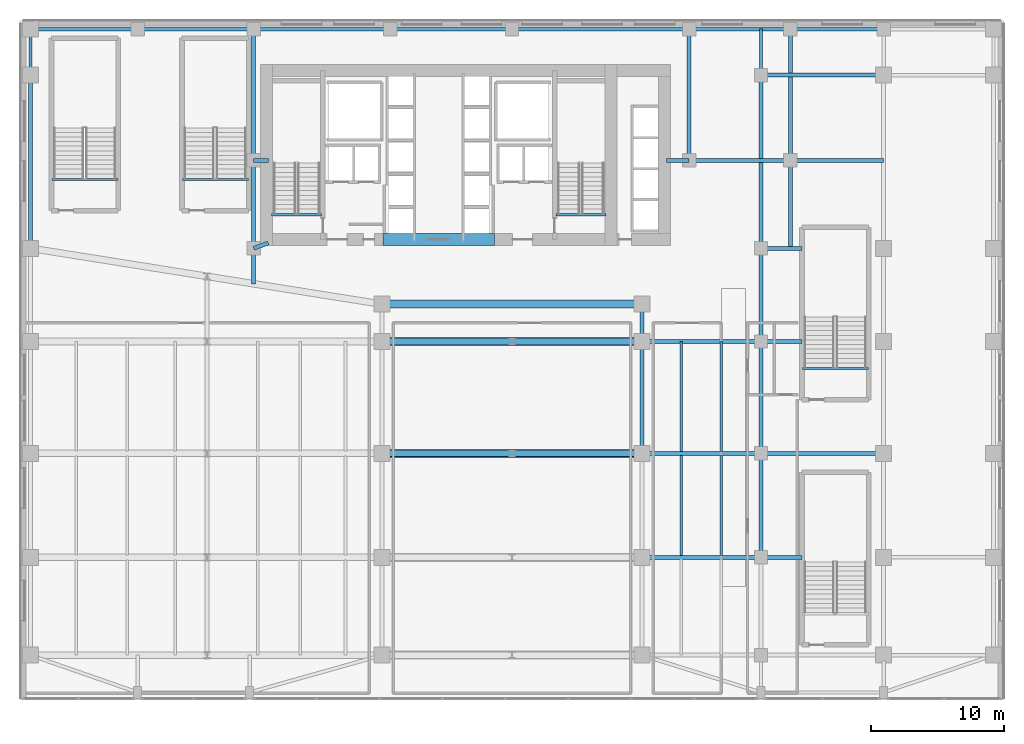
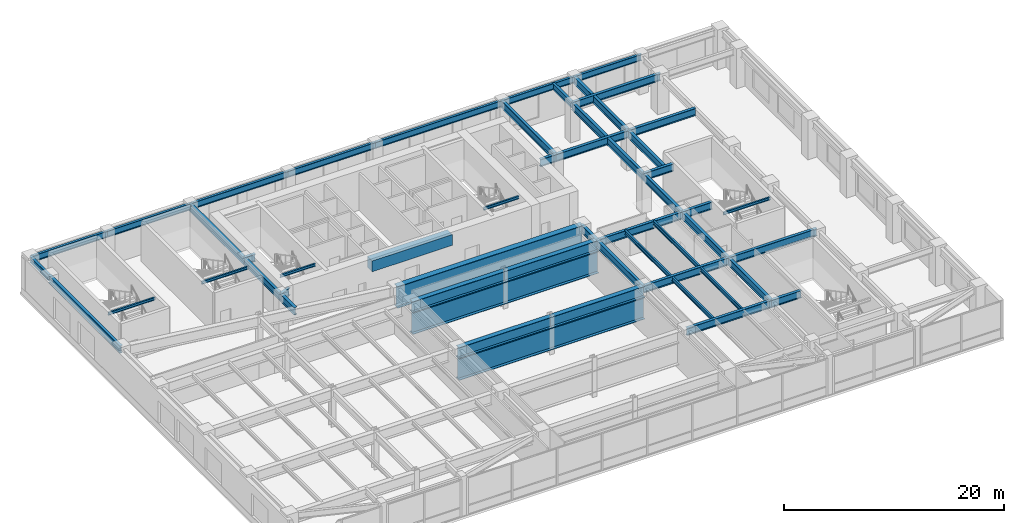
# One storey, part 15 of 27: 52 beams.
"""IFC4 building model written with IfcOpenShell, lengths in metres."""

from ifc_helpers import new_model, si_unit, direction, frame, origin, origin_2d, place, context, subcontext, project, spatial, rectangle, i_section, extrude, source, transform, mapped, material, material_profile, profile_set, type_object, type_shapes, element, save


model = new_model("IFC4")

# Units and contexts
model_context = context("Model", 3, precision=1e-05, world=origin(), true_north=direction((0.0, 1.0)))
body_context = subcontext(model_context, "Body", "Model", "MODEL_VIEW")
ifc_project = project(units=[si_unit("LENGTHUNIT", "METRE"), si_unit("AREAUNIT", "SQUARE_METRE"), si_unit("VOLUMEUNIT", "CUBIC_METRE"), si_unit("PLANEANGLEUNIT", "RADIAN"), si_unit("MASSUNIT", "GRAM", prefix="KILO")], contexts=[model_context])

# Site, building, storey
site_placement = place(None, origin())
site = spatial("IfcSite", under=ifc_project, at=site_placement, CompositionType="ELEMENT")
building_placement = place(site_placement, origin())
building = spatial("IfcBuilding", under=site, at=building_placement, Name="Tolvann Quenvar Hotel", CompositionType="ELEMENT")
storey_placement = place(building_placement, frame((0.0, 0.0, 22.39990234375)))
storey = spatial("IfcBuildingStorey", under=building, at=storey_placement, Name="L04", CompositionType="ELEMENT", Elevation=22.39990234375)

# Beams
ifc_material_1 = material(Name="Concrete S80 (80 MPa)", Category="concrete")
ifc_material_profile_1 = material_profile(ifc_material_1, rectangle(XDim=0.89990234375, YDim=1.199951171875, at=origin_2d()), Name="RC900x1200")
ifc_profile_set_1 = profile_set([ifc_material_profile_1], Name="Concrete S80 (80 MPa)")
beam_type_1 = type_object("IfcBeamType", Name="BM_LINT_RC900x1200", PredefinedType="LINTEL", material=ifc_profile_set_1)
shared_shape_1 = source(origin(), body_context, "Body", "SweptSolid", [
    extrude(rectangle(XDim=0.89990234375, YDim=1.199951171875, at=origin_2d()), origin(), (0.0, 0.0, 1.0), 8.39990234375),
])
type_shapes(beam_type_1, [shared_shape_1])
beam_1_placement = place(storey_placement, frame((18.800048828125, 32.050048828125, 3.5400390625), z_axis=(1.0, 0.0, 0.0), x_axis=(0.0, 1.0, 0.0)))
element("IfcBeam", 1, at=beam_1_placement, inside=storey, type_object=beam_type_1, Name="Core Coupling Lintel Beam (L04)", PredefinedType="LINTEL", context=body_context, shape_type="MappedRepresentation", body=[
    mapped(shared_shape_1, transform((0.0, 0.0, 0.0), x_axis=(1.0, 0.0, 0.0), y_axis=(0.0, 1.0, 0.0), z_axis=(0.0, 0.0, 1.0), scale=1.0)),
])
ifc_material_2 = material(Name="Steel Grade 350", Category="steel")
ifc_material_profile_2 = material_profile(ifc_material_2, i_section(OverallWidth=0.300048828125, OverallDepth=0.81591796875, WebThickness=0.010009765625, FlangeThickness=0.028076171875, at=origin_2d()), Name="800WB192")
ifc_profile_set_2 = profile_set([ifc_material_profile_2], Name="Steel Grade 350")
beam_type_2 = type_object("IfcBeamType", Name="BM_GIRD_800WB192", PredefinedType="BEAM", material=ifc_profile_set_2)
shared_shape_2 = source(origin(), body_context, "Body", "SweptSolid", [
    extrude(i_section(OverallWidth=0.300048828125, OverallDepth=0.81591796875, WebThickness=0.010009765625, FlangeThickness=0.028076171875, at=origin_2d()), origin(), (0.0, 0.0, 1.0), 7.800048828125),
])
beam_2_placement = place(storey_placement, frame((47.199951171875, 8.199951171875, 3.732177734375), z_axis=(0.0, 1.0, 0.0), x_axis=(-1.0, 0.0, 0.0)))
element("IfcBeam", 2, at=beam_2_placement, inside=storey, type_object=beam_type_2, Name="BM-L04-NS-H-1", PredefinedType="BEAM", context=body_context, shape_type="MappedRepresentation", body=[
    mapped(shared_shape_2, transform((0.0, 0.0, 0.0), x_axis=(1.0, 0.0, 0.0), y_axis=(0.0, 1.0, 0.0), z_axis=(0.0, 0.0, 1.0), scale=1.0)),
])
shared_shape_3 = source(origin(), body_context, "Body", "SweptSolid", [
    extrude(i_section(OverallWidth=0.300048828125, OverallDepth=0.81591796875, WebThickness=0.010009765625, FlangeThickness=0.028076171875, at=origin_2d()), origin(), (0.0, 0.0, 1.0), 8.39990234375),
])
for number, where, z_axis, x_axis, name in (
    (3, (38.25, 16.0, 3.732177734375), (0.0, 1.0, 0.0), (-1.0, 0.0, 0.0), "BM-L04-NS-APE-2"),
    (4, (47.199951171875, 16.0, 3.732177734375), (0.0, 1.0, 0.0), (-1.0, 0.0, 0.0), "BM-L04-NS-H-2"),
):
    element("IfcBeam", number, at=place(storey_placement, frame(where, z_axis=z_axis, x_axis=x_axis)), inside=storey, type_object=beam_type_2, Name=name, PredefinedType="BEAM", context=body_context, shape_type="MappedRepresentation", body=[
        mapped(shared_shape_3, transform((0.0, 0.0, 0.0), x_axis=(1.0, 0.0, 0.0), y_axis=(0.0, 1.0, 0.0), z_axis=(0.0, 0.0, 1.0), scale=1.0)),
    ])
shared_shape_4 = source(origin(), body_context, "Body", "SweptSolid", [
    extrude(i_section(OverallWidth=0.300048828125, OverallDepth=0.81591796875, WebThickness=0.010009765625, FlangeThickness=0.028076171875, at=origin_2d()), origin(), (0.0, 0.0, 1.0), 2.800048828125),
])
beam_3_placement = place(storey_placement, frame((38.25, 24.39990234375, 3.732177734375), z_axis=(0.0, 1.0, 0.0), x_axis=(-1.0, 0.0, 0.0)))
element("IfcBeam", 5, at=beam_3_placement, inside=storey, type_object=beam_type_2, Name="BM-L04-NS-APE-3", PredefinedType="BEAM", context=body_context, shape_type="MappedRepresentation", body=[
    mapped(shared_shape_4, transform((0.0, 0.0, 0.0), x_axis=(1.0, 0.0, 0.0), y_axis=(0.0, 1.0, 0.0), z_axis=(0.0, 0.0, 1.0), scale=1.0)),
])
ifc_material_profile_3 = material_profile(ifc_material_2, i_section(OverallWidth=0.5, OverallDepth=1.199951171875, WebThickness=0.01611328125, FlangeThickness=0.0400390625, at=origin_2d()), Name="1200WB455")
ifc_profile_set_3 = profile_set([ifc_material_profile_3], Name="Steel Grade 350")
beam_type_3 = type_object("IfcBeamType", Name="BM_TG_1200WB455", PredefinedType="USERDEFINED", material=ifc_profile_set_3)
shared_shape_5 = source(origin(), body_context, "Body", "SweptSolid", [
    extrude(i_section(OverallWidth=0.5, OverallDepth=1.199951171875, WebThickness=0.01611328125, FlangeThickness=0.0400390625, at=origin_2d()), origin(), (0.0, 0.0, 1.0), 9.75),
])
type_shapes(beam_type_3, [shared_shape_5])
for number, where, z_axis, x_axis, name in (
    (6, (18.75, 16.0, 3.5400390625), (1.0, 0.0, 0.0), (0.0, 1.0, 0.0), "BM-L04-ATIE-3A"),
    (7, (28.5, 16.0, 3.5400390625), (1.0, 0.0, 0.0), (0.0, 1.0, 0.0), "BM-L04-ATIE-3B"),
    (8, (18.75, 24.39990234375, 3.5400390625), (1.0, 0.0, 0.0), (0.0, 1.0, 0.0), "BM-L04-ATIE-4A"),
    (9, (28.5, 24.39990234375, 3.5400390625), (1.0, 0.0, 0.0), (0.0, 1.0, 0.0), "BM-L04-ATIE-4B"),
):
    element("IfcBeam", number, at=place(storey_placement, frame(where, z_axis=z_axis, x_axis=x_axis)), inside=storey, type_object=beam_type_3, Name=name, ObjectType="TRANSFER GIRDER", PredefinedType="USERDEFINED", context=body_context, shape_type="MappedRepresentation", body=[
        mapped(shared_shape_5, transform((0.0, 0.0, 0.0), x_axis=(1.0, 0.0, 0.0), y_axis=(0.0, 1.0, 0.0), z_axis=(0.0, 0.0, 1.0), scale=1.0)),
    ])
shared_shape_6 = source(origin(), body_context, "Body", "SweptSolid", [
    extrude(i_section(OverallWidth=0.300048828125, OverallDepth=0.81591796875, WebThickness=0.010009765625, FlangeThickness=0.028076171875, at=origin_2d()), origin(), (0.0, 0.0, 1.0), 8.949951171875),
])
for number, where, z_axis, x_axis, name in (
    (10, (38.25, 8.199951171875, 3.732177734375), (1.0, 0.0, 0.0), (0.0, 1.0, 0.0), "BM-L04-GE1-2"),
    (11, (38.25, 16.0, 3.732177734375), (1.0, 0.0, 0.0), (0.0, 1.0, 0.0), "BM-L04-GE1-3"),
    (12, (38.25, 24.39990234375, 3.732177734375), (1.0, 0.0, 0.0), (0.0, 1.0, 0.0), "BM-L04-GE1-4"),
):
    element("IfcBeam", number, at=place(storey_placement, frame(where, z_axis=z_axis, x_axis=x_axis)), inside=storey, type_object=beam_type_2, Name=name, PredefinedType="BEAM", context=body_context, shape_type="MappedRepresentation", body=[
        mapped(shared_shape_6, transform((0.0, 0.0, 0.0), x_axis=(1.0, 0.0, 0.0), y_axis=(0.0, 1.0, 0.0), z_axis=(0.0, 0.0, 1.0), scale=1.0)),
    ])
shared_shape_7 = source(origin(), body_context, "Body", "SweptSolid", [
    extrude(i_section(OverallWidth=0.300048828125, OverallDepth=0.81591796875, WebThickness=0.010009765625, FlangeThickness=0.028076171875, at=origin_2d()), origin(), (0.0, 0.0, 1.0), 9.199951171875),
])
for number, where, z_axis, x_axis, name in (
    (13, (47.199951171875, 16.0, 3.732177734375), (1.0, 0.0, 0.0), (0.0, 1.0, 0.0), "BM-L04-GE2-3"),
    (14, (47.199951171875, 44.39990234375, 3.732177734375), (1.0, 0.0, 0.0), (0.0, 1.0, 0.0), "BM-L04-GE2-6"),
):
    element("IfcBeam", number, at=place(storey_placement, frame(where, z_axis=z_axis, x_axis=x_axis)), inside=storey, type_object=beam_type_2, Name=name, PredefinedType="BEAM", context=body_context, shape_type="MappedRepresentation", body=[
        mapped(shared_shape_7, transform((0.0, 0.0, 0.0), x_axis=(1.0, 0.0, 0.0), y_axis=(0.0, 1.0, 0.0), z_axis=(0.0, 0.0, 1.0), scale=1.0)),
    ])
shared_shape_8 = source(origin(), body_context, "Body", "SweptSolid", [
    extrude(i_section(OverallWidth=0.300048828125, OverallDepth=0.81591796875, WebThickness=0.010009765625, FlangeThickness=0.028076171875, at=origin_2d()), origin(), (0.0, 0.0, 1.0), 7.0),
])
for number, where, z_axis, x_axis, name in (
    (15, (47.199951171875, 24.39990234375, 3.732177734375), (0.0, 1.0, 0.0), (-1.0, 0.0, 0.0), "BM-L04-NS-H-3"),
    (16, (49.39990234375, 38.0, 3.732177734375), (1.0, 0.0, 0.0), (0.0, 1.0, 0.0), "BM-L04-EW-PIN3"),
):
    element("IfcBeam", number, at=place(storey_placement, frame(where, z_axis=z_axis, x_axis=x_axis)), inside=storey, type_object=beam_type_2, Name=name, PredefinedType="BEAM", context=body_context, shape_type="MappedRepresentation", body=[
        mapped(shared_shape_8, transform((0.0, 0.0, 0.0), x_axis=(1.0, 0.0, 0.0), y_axis=(0.0, 1.0, 0.0), z_axis=(0.0, 0.0, 1.0), scale=1.0)),
    ])
shared_shape_9 = source(origin(), body_context, "Body", "SweptSolid", [
    extrude(i_section(OverallWidth=0.300048828125, OverallDepth=0.81591796875, WebThickness=0.010009765625, FlangeThickness=0.028076171875, at=origin_2d()), origin(), (0.0, 0.0, 1.0), 13.0),
])
for number, where, z_axis, x_axis, name in (
    (17, (-7.64990234375, 31.39990234375, 3.732177734375), (0.0, 1.0, 0.0), (-1.0, 0.0, 0.0), "BM-L04-NS-A-4"),
    (18, (47.199951171875, 31.39990234375, 3.732177734375), (0.0, 1.0, 0.0), (-1.0, 0.0, 0.0), "BM-L04-NS-H-4"),
):
    element("IfcBeam", number, at=place(storey_placement, frame(where, z_axis=z_axis, x_axis=x_axis)), inside=storey, type_object=beam_type_2, Name=name, PredefinedType="BEAM", context=body_context, shape_type="MappedRepresentation", body=[
        mapped(shared_shape_9, transform((0.0, 0.0, 0.0), x_axis=(1.0, 0.0, 0.0), y_axis=(0.0, 1.0, 0.0), z_axis=(0.0, 0.0, 1.0), scale=1.0)),
    ])
ifc_material_profile_4 = material_profile(ifc_material_2, i_section(OverallWidth=0.25, OverallDepth=0.699951171875, WebThickness=0.010009765625, FlangeThickness=0.02392578125, at=origin_2d()), Name="700WB150")
ifc_profile_set_4 = profile_set([ifc_material_profile_4], Name="Steel Grade 350")
beam_type_4 = type_object("IfcBeamType", Name="BM_GIRD_700WB150", PredefinedType="BEAM", material=ifc_profile_set_4)
shared_shape_10 = source(origin(), body_context, "Body", "SweptSolid", [
    extrude(i_section(OverallWidth=0.25, OverallDepth=0.699951171875, WebThickness=0.010009765625, FlangeThickness=0.02392578125, at=origin_2d()), origin(), (0.0, 0.0, 1.0), 3.4501953125),
])
for number, where, z_axis, x_axis, name in (
    (19, (-7.64990234375, 44.39990234375, 3.7900390625), (0.0, 1.0, 0.0), (-1.0, 0.0, 0.0), "BM-L04-NSN-A"),
    (20, (47.199951171875, 44.39990234375, 3.7900390625), (0.0, 1.0, 0.0), (-1.0, 0.0, 0.0), "BM-L04-NSN-H"),
):
    element("IfcBeam", number, at=place(storey_placement, frame(where, z_axis=z_axis, x_axis=x_axis)), inside=storey, type_object=beam_type_4, Name=name, PredefinedType="BEAM", context=body_context, shape_type="MappedRepresentation", body=[
        mapped(shared_shape_10, transform((0.0, 0.0, 0.0), x_axis=(1.0, 0.0, 0.0), y_axis=(0.0, 1.0, 0.0), z_axis=(0.0, 0.0, 1.0), scale=1.0)),
    ])
shared_shape_11 = source(origin(), body_context, "Body", "SweptSolid", [
    extrude(i_section(OverallWidth=0.25, OverallDepth=0.699951171875, WebThickness=0.010009765625, FlangeThickness=0.02392578125, at=origin_2d()), origin(), (0.0, 0.0, 1.0), 8.0498046875),
])
beam_4_placement = place(storey_placement, frame((-7.64990234375, 47.85009765625, 3.7900390625), z_axis=(1.0, 0.0, 0.0), x_axis=(0.0, 1.0, 0.0)))
element("IfcBeam", 21, at=beam_4_placement, inside=storey, type_object=beam_type_4, Name="BM-L04-EWN-0", PredefinedType="BEAM", context=body_context, shape_type="MappedRepresentation", body=[
    mapped(shared_shape_11, transform((0.0, 0.0, 0.0), x_axis=(1.0, 0.0, 0.0), y_axis=(0.0, 1.0, 0.0), z_axis=(0.0, 0.0, 1.0), scale=1.0)),
])
shared_shape_12 = source(origin(), body_context, "Body", "SweptSolid", [
    extrude(i_section(OverallWidth=0.25, OverallDepth=0.699951171875, WebThickness=0.010009765625, FlangeThickness=0.02392578125, at=origin_2d()), origin(), (0.0, 0.0, 1.0), 8.7001953125),
])
beam_5_placement = place(storey_placement, frame((0.39990234375, 47.85009765625, 3.7900390625), z_axis=(1.0, 0.0, 0.0), x_axis=(0.0, 1.0, 0.0)))
element("IfcBeam", 22, at=beam_5_placement, inside=storey, type_object=beam_type_4, Name="BM-L04-EWN-1", PredefinedType="BEAM", context=body_context, shape_type="MappedRepresentation", body=[
    mapped(shared_shape_12, transform((0.0, 0.0, 0.0), x_axis=(1.0, 0.0, 0.0), y_axis=(0.0, 1.0, 0.0), z_axis=(0.0, 0.0, 1.0), scale=1.0)),
])
shared_shape_13 = source(origin(), body_context, "Body", "SweptSolid", [
    extrude(i_section(OverallWidth=0.25, OverallDepth=0.699951171875, WebThickness=0.010009765625, FlangeThickness=0.02392578125, at=origin_2d()), origin(), (0.0, 0.0, 1.0), 10.25),
])
beam_6_placement = place(storey_placement, frame((9.10009765625, 47.85009765625, 3.7900390625), z_axis=(1.0, 0.0, 0.0), x_axis=(0.0, 1.0, 0.0)))
element("IfcBeam", 23, at=beam_6_placement, inside=storey, type_object=beam_type_4, Name="BM-L04-EWN-2", PredefinedType="BEAM", context=body_context, shape_type="MappedRepresentation", body=[
    mapped(shared_shape_13, transform((0.0, 0.0, 0.0), x_axis=(1.0, 0.0, 0.0), y_axis=(0.0, 1.0, 0.0), z_axis=(0.0, 0.0, 1.0), scale=1.0)),
])
shared_shape_14 = source(origin(), body_context, "Body", "SweptSolid", [
    extrude(i_section(OverallWidth=0.25, OverallDepth=0.699951171875, WebThickness=0.010009765625, FlangeThickness=0.02392578125, at=origin_2d()), origin(), (0.0, 0.0, 1.0), 9.14990234375),
])
beam_7_placement = place(storey_placement, frame((19.35009765625, 47.85009765625, 3.7900390625), z_axis=(1.0, 0.0, 0.0), x_axis=(0.0, 1.0, 0.0)))
element("IfcBeam", 24, at=beam_7_placement, inside=storey, type_object=beam_type_4, Name="BM-L04-EWN-3", PredefinedType="BEAM", context=body_context, shape_type="MappedRepresentation", body=[
    mapped(shared_shape_14, transform((0.0, 0.0, 0.0), x_axis=(1.0, 0.0, 0.0), y_axis=(0.0, 1.0, 0.0), z_axis=(0.0, 0.0, 1.0), scale=1.0)),
])
shared_shape_15 = source(origin(), body_context, "Body", "SweptSolid", [
    extrude(i_section(OverallWidth=0.25, OverallDepth=0.699951171875, WebThickness=0.010009765625, FlangeThickness=0.02392578125, at=origin_2d()), origin(), (0.0, 0.0, 1.0), 13.300048828125),
])
beam_8_placement = place(storey_placement, frame((28.5, 47.85009765625, 3.7900390625), z_axis=(1.0, 0.0, 0.0), x_axis=(0.0, 1.0, 0.0)))
element("IfcBeam", 25, at=beam_8_placement, inside=storey, type_object=beam_type_4, Name="BM-L04-EWN-4", PredefinedType="BEAM", context=body_context, shape_type="MappedRepresentation", body=[
    mapped(shared_shape_15, transform((0.0, 0.0, 0.0), x_axis=(1.0, 0.0, 0.0), y_axis=(0.0, 1.0, 0.0), z_axis=(0.0, 0.0, 1.0), scale=1.0)),
])
shared_shape_16 = source(origin(), body_context, "Body", "SweptSolid", [
    extrude(i_section(OverallWidth=0.25, OverallDepth=0.699951171875, WebThickness=0.010009765625, FlangeThickness=0.02392578125, at=origin_2d()), origin(), (0.0, 0.0, 1.0), 7.599853515625),
])
beam_9_placement = place(storey_placement, frame((41.800048828125, 47.85009765625, 3.7900390625), z_axis=(1.0, 0.0, 0.0), x_axis=(0.0, 1.0, 0.0)))
element("IfcBeam", 26, at=beam_9_placement, inside=storey, type_object=beam_type_4, Name="BM-L04-EWN-5", PredefinedType="BEAM", context=body_context, shape_type="MappedRepresentation", body=[
    mapped(shared_shape_16, transform((0.0, 0.0, 0.0), x_axis=(1.0, 0.0, 0.0), y_axis=(0.0, 1.0, 0.0), z_axis=(0.0, 0.0, 1.0), scale=1.0)),
])
shared_shape_17 = source(origin(), body_context, "Body", "SweptSolid", [
    extrude(i_section(OverallWidth=0.25, OverallDepth=0.699951171875, WebThickness=0.010009765625, FlangeThickness=0.02392578125, at=origin_2d()), origin(), (0.0, 0.0, 1.0), 7.0),
])
type_shapes(beam_type_4, [shared_shape_10, shared_shape_11, shared_shape_12, shared_shape_13, shared_shape_14, shared_shape_15, shared_shape_16, shared_shape_17])
beam_10_placement = place(storey_placement, frame((49.39990234375, 47.85009765625, 3.7900390625), z_axis=(1.0, 0.0, 0.0), x_axis=(0.0, 1.0, 0.0)))
element("IfcBeam", 27, at=beam_10_placement, inside=storey, type_object=beam_type_4, Name="BM-L04-EWN-6", PredefinedType="BEAM", context=body_context, shape_type="MappedRepresentation", body=[
    mapped(shared_shape_17, transform((0.0, 0.0, 0.0), x_axis=(1.0, 0.0, 0.0), y_axis=(0.0, 1.0, 0.0), z_axis=(0.0, 0.0, 1.0), scale=1.0)),
])
shared_shape_18 = source(origin(), body_context, "Body", "SweptSolid", [
    extrude(i_section(OverallWidth=0.300048828125, OverallDepth=0.81591796875, WebThickness=0.010009765625, FlangeThickness=0.028076171875, at=origin_2d()), origin(), (0.0, 0.0, 1.0), 1.17041015625),
])
beam_11_placement = place(storey_placement, frame((9.10009765625, 31.39990234375, 3.732177734375), z_axis=(0.939738597058, 0.34189379813, 0.0), x_axis=(-0.34189379813, 0.939738597058, 0.0)))
element("IfcBeam", 28, at=beam_11_placement, inside=storey, type_object=beam_type_2, Name="BM-L04-EW-PCNS2", PredefinedType="BEAM", context=body_context, shape_type="MappedRepresentation", body=[
    mapped(shared_shape_18, transform((0.0, 0.0, 0.0), x_axis=(1.0, 0.0, 0.0), y_axis=(0.0, 1.0, 0.0), z_axis=(0.0, 0.0, 1.0), scale=1.0)),
])
shared_shape_19 = source(origin(), body_context, "Body", "SweptSolid", [
    extrude(i_section(OverallWidth=0.300048828125, OverallDepth=0.81591796875, WebThickness=0.010009765625, FlangeThickness=0.028076171875, at=origin_2d()), origin(), (0.0, 0.0, 1.0), 6.60009765625),
])
for number, where, z_axis, x_axis, name in (
    (29, (9.10009765625, 31.39990234375, 3.732177734375), (0.0, 1.0, 0.0), (-1.0, 0.0, 0.0), "BM-L04-NSB-PCN1"),
    (30, (49.39990234375, 31.39990234375, 3.732177734375), (0.0, 1.0, 0.0), (-1.0, 0.0, 0.0), "BM-L04-NSB-PIN1"),
):
    element("IfcBeam", number, at=place(storey_placement, frame(where, z_axis=z_axis, x_axis=x_axis)), inside=storey, type_object=beam_type_2, Name=name, PredefinedType="BEAM", context=body_context, shape_type="MappedRepresentation", body=[
        mapped(shared_shape_19, transform((0.0, 0.0, 0.0), x_axis=(1.0, 0.0, 0.0), y_axis=(0.0, 1.0, 0.0), z_axis=(0.0, 0.0, 1.0), scale=1.0)),
    ])
shared_shape_20 = source(origin(), body_context, "Body", "SweptSolid", [
    extrude(i_section(OverallWidth=0.300048828125, OverallDepth=0.81591796875, WebThickness=0.010009765625, FlangeThickness=0.028076171875, at=origin_2d()), origin(), (0.0, 0.0, 1.0), 9.85009765625),
])
for number, where, z_axis, x_axis, name in (
    (31, (9.10009765625, 38.0, 3.732177734375), (0.0, 1.0, 0.0), (-1.0, 0.0, 0.0), "BM-L04-NSB-PCN2"),
    (32, (41.800048828125, 38.0, 3.732177734375), (0.0, 1.0, 0.0), (-1.0, 0.0, 0.0), "BM-L04-NSB-PHN2"),
    (33, (49.39990234375, 38.0, 3.732177734375), (0.0, 1.0, 0.0), (-1.0, 0.0, 0.0), "BM-L04-NSB-PIN2"),
):
    element("IfcBeam", number, at=place(storey_placement, frame(where, z_axis=z_axis, x_axis=x_axis)), inside=storey, type_object=beam_type_2, Name=name, PredefinedType="BEAM", context=body_context, shape_type="MappedRepresentation", body=[
        mapped(shared_shape_20, transform((0.0, 0.0, 0.0), x_axis=(1.0, 0.0, 0.0), y_axis=(0.0, 1.0, 0.0), z_axis=(0.0, 0.0, 1.0), scale=1.0)),
    ])
shared_shape_21 = source(origin(), body_context, "Body", "SweptSolid", [
    extrude(i_section(OverallWidth=0.300048828125, OverallDepth=0.81591796875, WebThickness=0.010009765625, FlangeThickness=0.028076171875, at=origin_2d()), origin(), (0.0, 0.0, 1.0), 1.099853515625),
])
beam_12_placement = place(storey_placement, frame((9.10009765625, 38.0, 3.732177734375), z_axis=(1.0, 0.0, 0.0), x_axis=(0.0, 1.0, 0.0)))
element("IfcBeam", 34, at=beam_12_placement, inside=storey, type_object=beam_type_2, Name="BM-L04-EW-PCN", PredefinedType="BEAM", context=body_context, shape_type="MappedRepresentation", body=[
    mapped(shared_shape_21, transform((0.0, 0.0, 0.0), x_axis=(1.0, 0.0, 0.0), y_axis=(0.0, 1.0, 0.0), z_axis=(0.0, 0.0, 1.0), scale=1.0)),
])
shared_shape_22 = source(origin(), body_context, "Body", "SweptSolid", [
    extrude(i_section(OverallWidth=0.300048828125, OverallDepth=0.81591796875, WebThickness=0.010009765625, FlangeThickness=0.028076171875, at=origin_2d()), origin(), (0.0, 0.0, 1.0), 1.699951171875),
])
beam_13_placement = place(storey_placement, frame((40.10009765625, 38.0, 3.732177734375), z_axis=(1.0, 0.0, 0.0), x_axis=(0.0, 1.0, 0.0)))
element("IfcBeam", 35, at=beam_13_placement, inside=storey, type_object=beam_type_2, Name="BM-L04-EW-PHN1", PredefinedType="BEAM", context=body_context, shape_type="MappedRepresentation", body=[
    mapped(shared_shape_22, transform((0.0, 0.0, 0.0), x_axis=(1.0, 0.0, 0.0), y_axis=(0.0, 1.0, 0.0), z_axis=(0.0, 0.0, 1.0), scale=1.0)),
])
ifc_material_profile_5 = material_profile(ifc_material_2, i_section(OverallWidth=0.18994140625, OverallDepth=0.4541015625, WebThickness=0.008544921875, FlangeThickness=0.0126953125, FilletRadius=0.011474609375, at=origin_2d()), Name="460UB67")
ifc_profile_set_5 = profile_set([ifc_material_profile_5], Name="Steel Grade 350")
beam_type_5 = type_object("IfcBeamType", Name="BM_JOIST_460UB67", PredefinedType="JOIST", material=ifc_profile_set_5)
shared_shape_23 = source(origin(), body_context, "Body", "SweptSolid", [
    extrude(i_section(OverallWidth=0.18994140625, OverallDepth=0.4541015625, WebThickness=0.008544921875, FlangeThickness=0.0126953125, FilletRadius=0.011474609375, at=origin_2d()), origin(), (0.0, 0.0, 1.0), 7.511962890625),
])
for number, where, z_axis, x_axis, name in (
    (36, (41.199951171875, 8.343994140625, 3.9130859375), (0.0, 1.0, 0.0), (-1.0, 0.0, 0.0), "BJ-L04-412-82"),
    (37, (44.199951171875, 8.343994140625, 3.9130859375), (0.0, 1.0, 0.0), (-1.0, 0.0, 0.0), "BJ-L04-442-82"),
):
    element("IfcBeam", number, at=place(storey_placement, frame(where, z_axis=z_axis, x_axis=x_axis)), inside=storey, type_object=beam_type_5, Name=name, PredefinedType="JOIST", context=body_context, shape_type="MappedRepresentation", body=[
        mapped(shared_shape_23, transform((0.0, 0.0, 0.0), x_axis=(1.0, 0.0, 0.0), y_axis=(0.0, 1.0, 0.0), z_axis=(0.0, 0.0, 1.0), scale=1.0)),
    ])
shared_shape_24 = source(origin(), body_context, "Body", "SweptSolid", [
    extrude(i_section(OverallWidth=0.18994140625, OverallDepth=0.4541015625, WebThickness=0.008544921875, FlangeThickness=0.0126953125, FilletRadius=0.011474609375, at=origin_2d()), origin(), (0.0, 0.0, 1.0), 8.255859375),
])
type_shapes(beam_type_5, [shared_shape_23, shared_shape_24])
for number, where, z_axis, x_axis, name in (
    (38, (41.199951171875, 16.14404296875, 3.9130859375), (0.0, 1.0, 0.0), (-1.0, 0.0, 0.0), "BJ-L04-412-160"),
    (39, (44.199951171875, 16.14404296875, 3.9130859375), (0.0, 1.0, 0.0), (-1.0, 0.0, 0.0), "BJ-L04-442-160"),
):
    element("IfcBeam", number, at=place(storey_placement, frame(where, z_axis=z_axis, x_axis=x_axis)), inside=storey, type_object=beam_type_5, Name=name, PredefinedType="JOIST", context=body_context, shape_type="MappedRepresentation", body=[
        mapped(shared_shape_24, transform((0.0, 0.0, 0.0), x_axis=(1.0, 0.0, 0.0), y_axis=(0.0, 1.0, 0.0), z_axis=(0.0, 0.0, 1.0), scale=1.0)),
    ])
shared_shape_25 = source(origin(), body_context, "Body", "SweptSolid", [
    extrude(i_section(OverallWidth=0.300048828125, OverallDepth=0.81591796875, WebThickness=0.010009765625, FlangeThickness=0.028076171875, at=origin_2d()), origin(), (0.0, 0.0, 1.0), 3.074951171875),
])
for number, where, z_axis, x_axis, name in (
    (40, (47.199951171875, 8.199951171875, 3.732177734375), (1.0, 0.0, 0.0), (0.0, 1.0, 0.0), "BM-L04-GE2-2"),
    (41, (47.199951171875, 24.39990234375, 3.732177734375), (1.0, 0.0, 0.0), (0.0, 1.0, 0.0), "BM-L04-GE2-4"),
    (42, (47.199951171875, 31.39990234375, 3.732177734375), (1.0, 0.0, 0.0), (0.0, 1.0, 0.0), "BM-L04-GE2-5"),
):
    element("IfcBeam", number, at=place(storey_placement, frame(where, z_axis=z_axis, x_axis=x_axis)), inside=storey, type_object=beam_type_2, Name=name, PredefinedType="BEAM", context=body_context, shape_type="MappedRepresentation", body=[
        mapped(shared_shape_25, transform((0.0, 0.0, 0.0), x_axis=(1.0, 0.0, 0.0), y_axis=(0.0, 1.0, 0.0), z_axis=(0.0, 0.0, 1.0), scale=1.0)),
    ])
shared_shape_26 = source(origin(), body_context, "Body", "SweptSolid", [
    extrude(i_section(OverallWidth=0.300048828125, OverallDepth=0.81591796875, WebThickness=0.010009765625, FlangeThickness=0.028076171875, at=origin_2d()), origin(), (0.0, 0.0, 1.0), 7.599853515625),
])
beam_14_placement = place(storey_placement, frame((41.800048828125, 38.0, 3.732177734375), z_axis=(1.0, 0.0, 0.0), x_axis=(0.0, 1.0, 0.0)))
element("IfcBeam", 43, at=beam_14_placement, inside=storey, type_object=beam_type_2, Name="BM-L04-EW-PHN2", PredefinedType="BEAM", context=body_context, shape_type="MappedRepresentation", body=[
    mapped(shared_shape_26, transform((0.0, 0.0, 0.0), x_axis=(1.0, 0.0, 0.0), y_axis=(0.0, 1.0, 0.0), z_axis=(0.0, 0.0, 1.0), scale=1.0)),
])
ifc_material_profile_6 = material_profile(ifc_material_2, i_section(OverallWidth=0.166015625, OverallDepth=0.306884765625, WebThickness=0.006591796875, FlangeThickness=0.01171875, FilletRadius=0.011474609375, at=origin_2d()), Name="310UB46")
ifc_profile_set_6 = profile_set([ifc_material_profile_6], Name="Steel Grade 350")
beam_type_6 = type_object("IfcBeamType", Name="BM_JOIST_310UB46", PredefinedType="JOIST", material=ifc_profile_set_6)
shared_shape_27 = source(origin(), body_context, "Body", "SweptSolid", [
    extrude(i_section(OverallWidth=0.166015625, OverallDepth=0.306884765625, WebThickness=0.006591796875, FlangeThickness=0.01171875, FilletRadius=0.011474609375, at=origin_2d()), origin(), (0.0, 0.0, 1.0), 3.75),
])
for number, where, z_axis, x_axis, name in (
    (44, (10.449951171875, 33.9150390625, 3.986572265625), (1.0, 0.0, 0.0), (0.0, 1.0, 0.0), "BM-HDR-ST-C1-L05"),
    (45, (31.800048828125, 33.9150390625, 3.986572265625), (1.0, 0.0, 0.0), (0.0, 1.0, 0.0), "BM-HDR-ST-C2-L05"),
):
    element("IfcBeam", number, at=place(storey_placement, frame(where, z_axis=z_axis, x_axis=x_axis)), inside=storey, type_object=beam_type_6, Name=name, PredefinedType="JOIST", context=body_context, shape_type="MappedRepresentation", body=[
        mapped(shared_shape_27, transform((0.0, 0.0, 0.0), x_axis=(1.0, 0.0, 0.0), y_axis=(0.0, 1.0, 0.0), z_axis=(0.0, 0.0, 1.0), scale=1.0)),
    ])
shared_shape_28 = source(origin(), body_context, "Body", "SweptSolid", [
    extrude(i_section(OverallWidth=0.166015625, OverallDepth=0.306884765625, WebThickness=0.006591796875, FlangeThickness=0.01171875, FilletRadius=0.011474609375, at=origin_2d()), origin(), (0.0, 0.0, 1.0), 4.949951171875),
])
type_shapes(beam_type_6, [shared_shape_27, shared_shape_28])
for number, where, z_axis, x_axis, name in (
    (46, (-6.050048828125, 36.56494140625, 3.986572265625), (1.0, 0.0, 0.0), (0.0, 1.0, 0.0), "BM-HDR-ST-P1-L05"),
    (47, (3.75, 36.56494140625, 3.986572265625), (1.0, 0.0, 0.0), (0.0, 1.0, 0.0), "BM-HDR-ST-P2-L05"),
    (48, (50.300048828125, 22.364990234375, 3.986572265625), (1.0, 0.0, 0.0), (0.0, 1.0, 0.0), "BM-HDR-ST-P4-L05"),
):
    element("IfcBeam", number, at=place(storey_placement, frame(where, z_axis=z_axis, x_axis=x_axis)), inside=storey, type_object=beam_type_6, Name=name, PredefinedType="JOIST", context=body_context, shape_type="MappedRepresentation", body=[
        mapped(shared_shape_28, transform((0.0, 0.0, 0.0), x_axis=(1.0, 0.0, 0.0), y_axis=(0.0, 1.0, 0.0), z_axis=(0.0, 0.0, 1.0), scale=1.0)),
    ])
ifc_material_profile_7 = material_profile(ifc_material_2, i_section(OverallWidth=0.60009765625, OverallDepth=2.39990234375, WebThickness=0.02001953125, FlangeThickness=0.044921875, at=origin_2d()), Name="2400WB655")
ifc_profile_set_7 = profile_set([ifc_material_profile_7], Name="Steel Grade 350")
beam_type_7 = type_object("IfcBeamType", Name="BM_TG_2400WB655", PredefinedType="USERDEFINED", material=ifc_profile_set_7)
shared_shape_29 = source(origin(), body_context, "Body", "SweptSolid", [
    extrude(i_section(OverallWidth=0.60009765625, OverallDepth=2.39990234375, WebThickness=0.02001953125, FlangeThickness=0.044921875, at=origin_2d()), origin(), (0.0, 0.0, 1.0), 19.5),
])
type_shapes(beam_type_7, [shared_shape_29])
for number, where, z_axis, x_axis, name in (
    (49, (18.75, 16.0, 1.739990234375), (1.0, 0.0, 0.0), (0.0, 1.0, 0.0), "BM-L04-ACAR-3"),
    (50, (18.75, 24.39990234375, 1.739990234375), (1.0, 0.0, 0.0), (0.0, 1.0, 0.0), "BM-L04-ACAR-4"),
    (51, (18.75, 27.199951171875, 2.940185546875), (1.0, 0.0, 0.0), (0.0, 1.0, 0.0), "BM-L04-ATIE-5"),
):
    element("IfcBeam", number, at=place(storey_placement, frame(where, z_axis=z_axis, x_axis=x_axis)), inside=storey, type_object=beam_type_7, Name=name, ObjectType="TRANSFER GIRDER", PredefinedType="USERDEFINED", context=body_context, shape_type="MappedRepresentation", body=[
        mapped(shared_shape_29, transform((0.0, 0.0, 0.0), x_axis=(1.0, 0.0, 0.0), y_axis=(0.0, 1.0, 0.0), z_axis=(0.0, 0.0, 1.0), scale=1.0)),
    ])
shared_shape_30 = source(origin(), body_context, "Body", "SweptSolid", [
    extrude(i_section(OverallWidth=0.300048828125, OverallDepth=0.81591796875, WebThickness=0.010009765625, FlangeThickness=0.028076171875, at=origin_2d()), origin(), (0.0, 0.0, 1.0), 2.669921875),
])
type_shapes(beam_type_2, [shared_shape_2, shared_shape_3, shared_shape_4, shared_shape_6, shared_shape_7, shared_shape_8, shared_shape_9, shared_shape_18, shared_shape_19, shared_shape_20, shared_shape_21, shared_shape_22, shared_shape_25, shared_shape_26, shared_shape_30])
beam_15_placement = place(storey_placement, frame((9.10009765625, 28.72998046875, 3.732177734375), z_axis=(0.0, 1.0, 0.0), x_axis=(-1.0, 0.0, 0.0)))
element("IfcBeam", 52, at=beam_15_placement, inside=storey, type_object=beam_type_2, Name="BM-L04-NS-PCNS-TIE", PredefinedType="BEAM", context=body_context, shape_type="MappedRepresentation", body=[
    mapped(shared_shape_30, transform((0.0, 0.0, 0.0), x_axis=(1.0, 0.0, 0.0), y_axis=(0.0, 1.0, 0.0), z_axis=(0.0, 0.0, 1.0), scale=1.0)),
])

save(model, "model.ifc")
